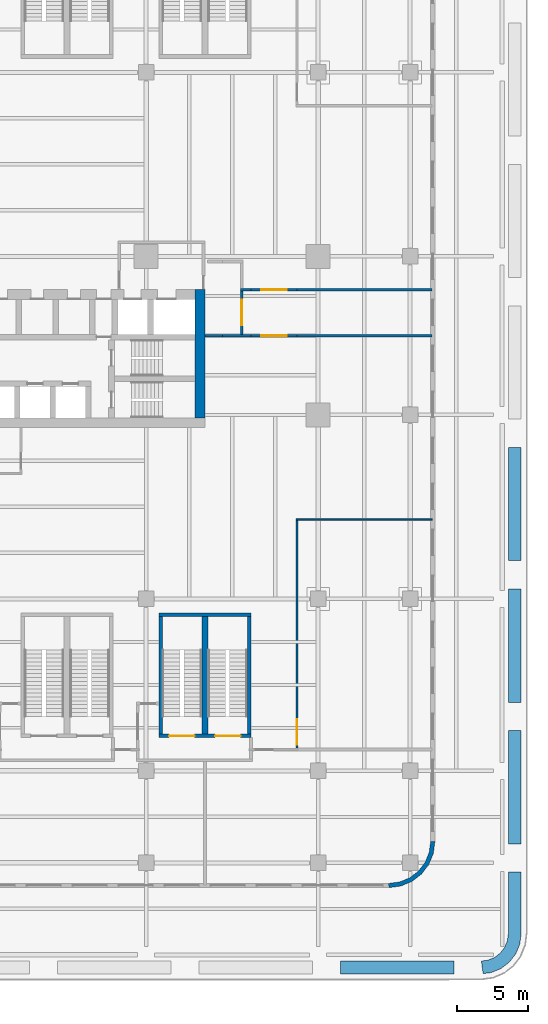
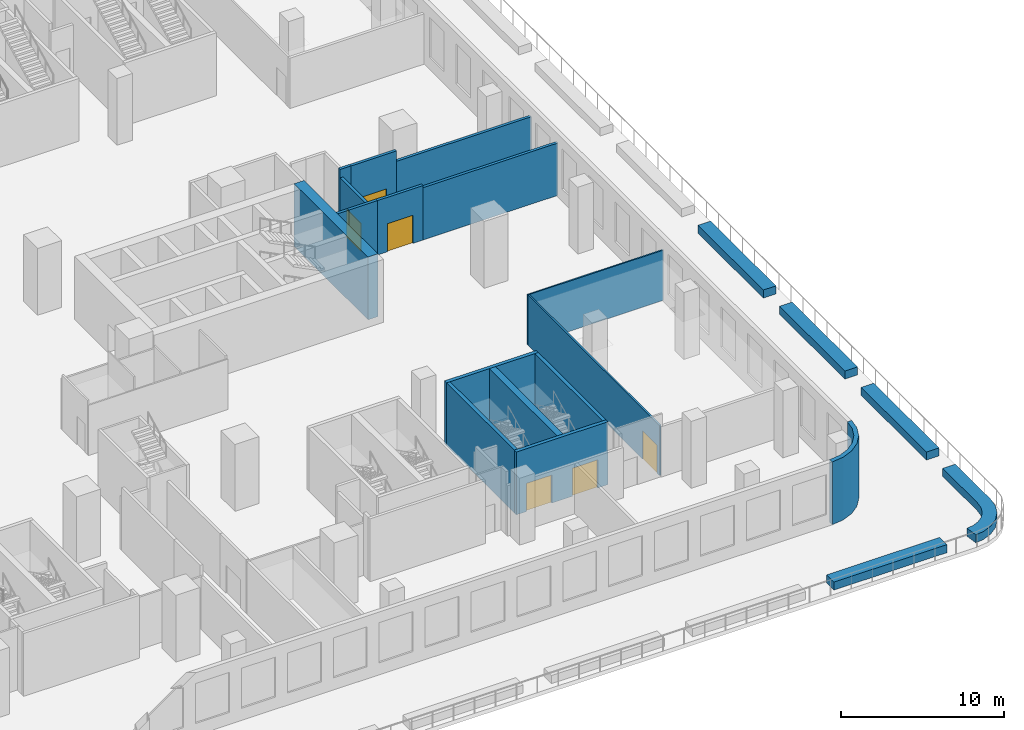
# One storey, part 11 of 18: 22 walls, 6 doors, 6 openings.
"""IFC4 building model written with IfcOpenShell, lengths in metres."""

from ifc_helpers import new_model, si_unit, direction, frame, frame_2d, origin, place, context, subcontext, project, spatial, polyline, rectangle, outline, extrude, source, transform, mapped, material, layer, layer_set, type_object, element, fill, save


model = new_model("IFC4")

# Units and contexts
model_context = context("Model", 3, precision=1e-05, world=origin(), true_north=direction((0.0, 1.0)))
body_context = subcontext(model_context, "Body", "Model", "MODEL_VIEW")
ifc_project = project(units=[si_unit("LENGTHUNIT", "METRE"), si_unit("AREAUNIT", "SQUARE_METRE"), si_unit("VOLUMEUNIT", "CUBIC_METRE"), si_unit("PLANEANGLEUNIT", "RADIAN"), si_unit("MASSUNIT", "GRAM", prefix="KILO")], contexts=[model_context])

# Site, building, storey
site_placement = place(None, origin())
site = spatial("IfcSite", under=ifc_project, at=site_placement, CompositionType="ELEMENT")
building_placement = place(site_placement, origin())
building = spatial("IfcBuilding", under=site, at=building_placement, Name="Trellis Farm Tower", CompositionType="ELEMENT")
storey_placement = place(building_placement, frame((0.0, 0.0, 14.0)))
storey = spatial("IfcBuildingStorey", under=building, at=storey_placement, Name="L02", CompositionType="ELEMENT", Elevation=14.0)

# Wall, opening, door
ifc_material_1 = material(Name="Plasterboard on steel studs, mineral wool", Category="steel")
ifc_layer_1 = layer(ifc_material_1, 0.125)
ifc_layer_set_1 = layer_set([ifc_layer_1], Name="PARTITION 125 STUD EI 60")
wall_type_1 = type_object("IfcWallType", Name="PARTITION 125 STUD EI 60", PredefinedType="PARTITIONING", material=ifc_layer_set_1)
wall_1_placement = place(storey_placement, frame((29.25, -13.050048828125, 0.0), z_axis=(0.0, 0.0, 1.0), x_axis=(0.0, -1.0, 0.0)))
wall_1 = element("IfcWall", 1, at=wall_1_placement, inside=storey, type_object=wall_type_1, Name="Partition PW1", PredefinedType="PARTITIONING", context=body_context, shape_type="SweptSolid", body=[
    extrude(rectangle(XDim=16.099853515625, YDim=0.125, at=frame_2d((8.0498046875, 0.0))), origin(), (0.0, 0.0, 1.0), 3.76171875),
])
shared_shape_1 = source(origin(), body_context, "Body", "SweptSolid", [
    extrude(rectangle(XDim=1.800048828125, YDim=2.10009765625, at=frame_2d((0.89990234375, 1.050048828125))), frame((0.0, 0.072509765625, 0.0), z_axis=(0.0, -1.0, 0.0), x_axis=(1.0, 0.0, 0.0)), (0.0, 0.0, 1.0), 0.14501953125),
])
opening_1_placement = place(wall_1_placement, frame((14.050048828125, 0.0, 0.0)))
opening_1 = element("IfcOpeningElement", 2, at=opening_1_placement, cuts=wall_1, Name="Opening D202", PredefinedType="OPENING", context=body_context, shape_type="MappedRepresentation", body=[
    mapped(shared_shape_1, transform((0.0, 0.0, 0.0))),
])
ifc_material_2 = material(Name="Fire-rated timber door leaf in a hollow metal frame", Category="wood")
door_type_1 = type_object("IfcDoorType", Name="DOOR PAIR 1800x2100 FD30S", OperationType="NOTDEFINED", PredefinedType="DOOR", material=ifc_material_2)
shared_shape_2 = source(origin(), body_context, "Body", "SweptSolid", [
    extrude(rectangle(XDim=1.800048828125, YDim=2.10009765625, at=frame_2d((0.89990234375, 1.050048828125))), frame((0.0, 0.02490234375, 0.0), z_axis=(0.0, -1.0, 0.0), x_axis=(1.0, 0.0, 0.0)), (0.0, 0.0, 1.0), 0.050048828125),
])
door_1_placement = place(opening_1_placement, origin())
door_1 = element("IfcDoor", 3, at=door_1_placement, inside=storey, type_object=door_type_1, Name="Door D202", OperationType="DOUBLE_DOOR_SINGLE_SWING", OverallHeight=2.10009765625, OverallWidth=1.800048828125, PredefinedType="DOOR", context=body_context, shape_type="MappedRepresentation", body=[
    mapped(shared_shape_2, transform((0.0, 0.0, 0.0))),
])
fill(opening_1, door_1)

# Walls
ifc_material_3 = material(Name="Sandstone faced masonry planter", Category="masonry")
ifc_layer_2 = layer(ifc_material_3, 0.89990234375)
ifc_layer_set_2 = layer_set([ifc_layer_2], Name="TERRACE PLANTER BED 900")
wall_type_2 = type_object("IfcWallType", Name="TERRACE PLANTER BED 900", PredefinedType="USERDEFINED", material=ifc_layer_set_2)
placement = place(storey_placement, origin())
element("IfcWall", 4, at=placement, inside=storey, type_object=wall_type_2, Name="PLANTER bed", ObjectType="PLANTER", PredefinedType="USERDEFINED", context=body_context, shape_type="SweptSolid", body=[
    extrude(outline(polyline([(32.347412109375, -44.199951171875), (40.347412109375, -44.199951171875), (40.347412109375, -45.10009765625), (32.347412109375, -45.10009765625), (32.347412109375, -44.199951171875)])), origin(), (0.0, 0.0, 1.0), 0.60009765625),
])
element("IfcWall", 5, at=placement, inside=storey, type_object=wall_type_2, Name="PLANTER bed", ObjectType="PLANTER", PredefinedType="USERDEFINED", context=body_context, shape_type="SweptSolid", body=[
    extrude(outline(polyline([(44.99951171875, -42.98681640625), (44.715087890625, -43.67333984375), (44.2626953125, -44.2626953125), (43.67333984375, -44.715087890625), (42.98681640625, -44.99951171875), (42.40478515625, -45.076171875), (42.287109375, -44.183837890625), (42.751708984375, -44.122802734375), (43.219482421875, -43.928955078125), (43.620849609375, -43.620849609375), (43.928955078125, -43.219482421875), (44.122802734375, -42.751708984375), (44.199951171875, -42.164794921875), (44.199951171875, -37.9013671875), (45.10009765625, -37.9013671875), (45.10009765625, -42.223876953125), (44.99951171875, -42.98681640625)])), origin(), (0.0, 0.0, 1.0), 0.60009765625),
])
element("IfcWall", 6, at=placement, inside=storey, type_object=wall_type_2, Name="PLANTER bed", ObjectType="PLANTER", PredefinedType="USERDEFINED", context=body_context, shape_type="SweptSolid", body=[
    extrude(outline(polyline([(44.199951171875, -35.9013671875), (44.199951171875, -27.9013671875), (45.10009765625, -27.9013671875), (45.10009765625, -35.9013671875), (44.199951171875, -35.9013671875)])), origin(), (0.0, 0.0, 1.0), 0.60009765625),
])
element("IfcWall", 7, at=placement, inside=storey, type_object=wall_type_2, Name="PLANTER bed", ObjectType="PLANTER", PredefinedType="USERDEFINED", context=body_context, shape_type="SweptSolid", body=[
    extrude(outline(polyline([(44.199951171875, -25.9013671875), (44.199951171875, -17.9013671875), (45.10009765625, -17.9013671875), (45.10009765625, -25.9013671875), (44.199951171875, -25.9013671875)])), origin(), (0.0, 0.0, 1.0), 0.60009765625),
])
element("IfcWall", 8, at=placement, inside=storey, type_object=wall_type_2, Name="PLANTER bed", ObjectType="PLANTER", PredefinedType="USERDEFINED", context=body_context, shape_type="SweptSolid", body=[
    extrude(outline(polyline([(44.199951171875, -15.9013671875), (44.199951171875, -7.9013671875), (45.10009765625, -7.9013671875), (45.10009765625, -15.9013671875), (44.199951171875, -15.9013671875)])), origin(), (0.0, 0.0, 1.0), 0.60009765625),
])
ifc_material_4 = material(Name="Concrete C80/95", Category="concrete")
ifc_layer_3 = layer(ifc_material_4, 0.699951171875)
ifc_layer_set_3 = layer_set([ifc_layer_3], Name="CORE OUTER WALL 700 CONCRETE C80/95")
wall_type_3 = type_object("IfcWallType", Name="CORE OUTER WALL 700 CONCRETE C80/95", PredefinedType="SHEAR", material=ifc_layer_set_3)
shared_shape_3 = source(origin(), body_context, "Body", "SweptSolid", [
    extrude(rectangle(XDim=9.050048828125, YDim=0.699951171875, at=frame_2d((4.52490234375, 0.0))), origin(), (0.0, 0.0, 1.0), 4.699951171875),
])
wall_7_placement = place(storey_placement, frame((22.39990234375, -5.800048828125, 0.0), z_axis=(0.0, 0.0, 1.0), x_axis=(0.0, 1.0, 0.0)))
element("IfcWall", 9, at=wall_7_placement, inside=storey, type_object=wall_type_3, Name="Core wall", PredefinedType="SHEAR", context=body_context, shape_type="MappedRepresentation", body=[
    mapped(shared_shape_3, transform((0.0, 0.0, 0.0))),
])

# Wall, opening, door
ifc_material_5 = material(Name="Lightweight blockwork, plastered", Category="masonry")
ifc_layer_4 = layer(ifc_material_5, 0.199951171875)
ifc_layer_set_4 = layer_set([ifc_layer_4], Name="BLOCK WALL 200 EI 120")
wall_type_4 = type_object("IfcWallType", Name="BLOCK WALL 200 EI 120", PredefinedType="PARTITIONING", material=ifc_layer_set_4)
shared_shape_4 = source(origin(), body_context, "Body", "SweptSolid", [
    extrude(rectangle(XDim=3.25, YDim=0.199951171875, at=frame_2d((1.625, 0.0))), origin(), (0.0, 0.0, 1.0), 4.699951171875),
])
wall_8_placement = place(storey_placement, frame((26.0, 3.25, 0.0), z_axis=(0.0, 0.0, 1.0), x_axis=(1.0, 0.0, 0.0)))
wall_8 = element("IfcWall", 10, at=wall_8_placement, inside=storey, type_object=wall_type_4, Name="Partition PW3", PredefinedType="PARTITIONING", context=body_context, shape_type="MappedRepresentation", body=[
    mapped(shared_shape_4, transform((0.0, 0.0, 0.0))),
])
shared_shape_5 = source(origin(), body_context, "Body", "SweptSolid", [
    extrude(rectangle(XDim=1.800048828125, YDim=2.10009765625, at=frame_2d((0.89990234375, 1.050048828125))), frame((0.0, 0.110107421875, 0.0), z_axis=(0.0, -1.0, 0.0), x_axis=(1.0, 0.0, 0.0)), (0.0, 0.0, 1.0), 0.22021484375),
])
opening_2_placement = place(wall_8_placement, frame((0.72509765625, 0.0, 0.0)))
opening_2 = element("IfcOpeningElement", 11, at=opening_2_placement, cuts=wall_8, Name="Opening D412", PredefinedType="OPENING", context=body_context, shape_type="MappedRepresentation", body=[
    mapped(shared_shape_5, transform((0.0, 0.0, 0.0))),
])
door_type_2 = type_object("IfcDoorType", Name="DOOR PAIR 1800x2100 FD60", OperationType="NOTDEFINED", PredefinedType="DOOR", material=ifc_material_2)
door_2_placement = place(opening_2_placement, origin())
door_2 = element("IfcDoor", 12, at=door_2_placement, inside=storey, type_object=door_type_2, Name="Door D412", OperationType="DOUBLE_DOOR_SINGLE_SWING", OverallHeight=2.10009765625, OverallWidth=1.800048828125, PredefinedType="DOOR", context=body_context, shape_type="MappedRepresentation", body=[
    mapped(shared_shape_2, transform((0.0, 0.0, 0.0))),
])
fill(opening_2, door_2)

# Wall, openings, doors
ifc_layer_5 = layer(ifc_material_4, 0.25)
ifc_layer_set_5 = layer_set([ifc_layer_5], Name="CORE STAIR ENCLOSURE WALL 250 CONCRETE C80/95")
wall_type_5 = type_object("IfcWallType", Name="CORE STAIR ENCLOSURE WALL 250 CONCRETE C80/95", PredefinedType="SHEAR", material=ifc_layer_set_5)
shared_shape_6 = source(origin(), body_context, "Body", "SweptSolid", [
    extrude(rectangle(XDim=6.5, YDim=0.25, at=frame_2d((3.25, 0.0))), origin(), (0.0, 0.0, 1.0), 4.699951171875),
])
wall_9_placement = place(storey_placement, frame((19.5, -28.27490234375, 0.0), z_axis=(0.0, 0.0, 1.0), x_axis=(1.0, 0.0, 0.0)))
wall_9 = element("IfcWall", 13, at=wall_9_placement, inside=storey, type_object=wall_type_5, Name="Podium stair enclosure wall", PredefinedType="SHEAR", context=body_context, shape_type="MappedRepresentation", body=[
    mapped(shared_shape_6, transform((0.0, 0.0, 0.0))),
])
shared_shape_7 = source(origin(), body_context, "Body", "SweptSolid", [
    extrude(rectangle(XDim=1.800048828125, YDim=2.10009765625, at=frame_2d((0.89990234375, 1.050048828125))), frame((0.0, 0.135009765625, 0.0), z_axis=(0.0, -1.0, 0.0), x_axis=(1.0, 0.0, 0.0)), (0.0, 0.0, 1.0), 0.27001953125),
])
opening_3_placement = place(wall_9_placement, frame((0.72509765625, 0.0, 0.0)))
opening_3 = element("IfcOpeningElement", 14, at=opening_3_placement, cuts=wall_9, Name="Opening DP15", PredefinedType="OPENING", context=body_context, shape_type="MappedRepresentation", body=[
    mapped(shared_shape_7, transform((0.0, 0.0, 0.0))),
])
opening_4_placement = place(wall_9_placement, frame((3.97509765625, 0.0, 0.0)))
opening_4 = element("IfcOpeningElement", 15, at=opening_4_placement, cuts=wall_9, Name="Opening DP16", PredefinedType="OPENING", context=body_context, shape_type="MappedRepresentation", body=[
    mapped(shared_shape_7, transform((0.0, 0.0, 0.0))),
])
ifc_material_6 = material(Name="Steel", Category="steel")
door_type_3 = type_object("IfcDoorType", Name="CORE FIRE DOOR DOUBLE 1800 X 2100", OperationType="DOUBLE_DOOR_SINGLE_SWING", PredefinedType="DOOR", material=ifc_material_6)
door_3_placement = place(opening_3_placement, origin())
door_3 = element("IfcDoor", 16, at=door_3_placement, inside=storey, type_object=door_type_3, Name="Podium stair door", OperationType="DOUBLE_DOOR_SINGLE_SWING", OverallHeight=2.10009765625, OverallWidth=1.800048828125, PredefinedType="DOOR", context=body_context, shape_type="MappedRepresentation", body=[
    mapped(shared_shape_2, transform((0.0, 0.0, 0.0))),
])
fill(opening_3, door_3)
door_4_placement = place(opening_4_placement, origin())
door_4 = element("IfcDoor", 17, at=door_4_placement, inside=storey, type_object=door_type_3, Name="Podium stair door", OperationType="DOUBLE_DOOR_SINGLE_SWING", OverallHeight=2.10009765625, OverallWidth=1.800048828125, PredefinedType="DOOR", context=body_context, shape_type="MappedRepresentation", body=[
    mapped(shared_shape_2, transform((0.0, 0.0, 0.0))),
])
fill(opening_4, door_4)

# Walls
wall_10_placement = place(storey_placement, frame((19.5, -19.72509765625, 0.0), z_axis=(0.0, 0.0, 1.0), x_axis=(1.0, 0.0, 0.0)))
element("IfcWall", 18, at=wall_10_placement, inside=storey, type_object=wall_type_5, Name="Podium stair enclosure wall", PredefinedType="SHEAR", context=body_context, shape_type="MappedRepresentation", body=[
    mapped(shared_shape_6, transform((0.0, 0.0, 0.0))),
])
shared_shape_8 = source(origin(), body_context, "Body", "SweptSolid", [
    extrude(rectangle(XDim=8.2998046875, YDim=0.25, at=frame_2d((4.14990234375, 0.0))), origin(), (0.0, 0.0, 1.0), 4.699951171875),
])
for number, where, z_axis, x_axis, name in (
    (19, (19.625, -28.14990234375, 0.0), (0.0, 0.0, 1.0), (0.0, 1.0, 0.0), "Podium stair enclosure wall"),
    (20, (25.875, -28.14990234375, 0.0), (0.0, 0.0, 1.0), (0.0, 1.0, 0.0), "Podium stair enclosure wall"),
):
    element("IfcWall", number, at=place(storey_placement, frame(where, z_axis=z_axis, x_axis=x_axis)), inside=storey, type_object=wall_type_5, Name=name, PredefinedType="SHEAR", context=body_context, shape_type="MappedRepresentation", body=[
        mapped(shared_shape_8, transform((0.0, 0.0, 0.0))),
    ])
ifc_layer_6 = layer(ifc_material_4, 0.43994140625)
ifc_layer_set_6 = layer_set([ifc_layer_6], Name="CORE STAIR ENCLOSURE WALL 440 CONCRETE C80/95")
wall_type_6 = type_object("IfcWallType", Name="CORE STAIR ENCLOSURE WALL 440 CONCRETE C80/95", PredefinedType="SHEAR", material=ifc_layer_set_6)
shared_shape_9 = source(origin(), body_context, "Body", "SweptSolid", [
    extrude(rectangle(XDim=8.2998046875, YDim=0.43994140625, at=frame_2d((4.14990234375, 0.0))), origin(), (0.0, 0.0, 1.0), 4.699951171875),
])
wall_11_placement = place(storey_placement, frame((22.75, -28.14990234375, 0.0), z_axis=(0.0, 0.0, 1.0), x_axis=(0.0, 1.0, 0.0)))
element("IfcWall", 21, at=wall_11_placement, inside=storey, type_object=wall_type_6, Name="Podium stair enclosure wall", PredefinedType="SHEAR", context=body_context, shape_type="MappedRepresentation", body=[
    mapped(shared_shape_9, transform((0.0, 0.0, 0.0))),
])
ifc_material_7 = material(Name="Sandstone faced insulated wall", Category="masonry")
ifc_layer_7 = layer(ifc_material_7, 0.300048828125)
ifc_layer_set_7 = layer_set([ifc_layer_7], Name="STONE CLAD EXTERNAL WALL 300")
wall_type_7 = type_object("IfcWallType", Name="STONE CLAD EXTERNAL WALL 300", PredefinedType="SOLIDWALL", material=ifc_layer_set_7)
shared_shape_10 = source(origin(), body_context, "Body", "SweptSolid", [
    extrude(outline(polyline([(35.75, -39.0), (36.591064453125, -38.88916015625), (37.375, -38.564697265625), (38.048095703125, -38.048095703125), (38.564697265625, -37.375), (38.88916015625, -36.591064453125), (39.0, -35.75), (38.699951171875, -35.730224609375), (38.596923828125, -36.512939453125), (38.302490234375, -37.2236328125), (37.834228515625, -37.834228515625), (37.2236328125, -38.302490234375), (36.512939453125, -38.596923828125), (35.730224609375, -38.699951171875), (35.75, -39.0)])), origin(), (0.0, 0.0, 1.0), 4.699951171875),
])
element("IfcWall", 22, at=placement, inside=storey, type_object=wall_type_7, Name="EW2 C04", PredefinedType="SOLIDWALL", context=body_context, shape_type="MappedRepresentation", body=[
    mapped(shared_shape_10, transform((0.0, 0.0, 0.0))),
])
shared_shape_11 = source(origin(), body_context, "Body", "SweptSolid", [
    extrude(rectangle(XDim=9.550048828125, YDim=0.199951171875, at=frame_2d((4.77490234375, 0.0))), origin(), (0.0, 0.0, 1.0), 3.917724609375),
])
for number, where, z_axis, x_axis, name in (
    (23, (38.800048828125, 0.0, 0.0), (0.0, 0.0, 1.0), (-1.0, 0.0, 0.0), "Partition PW3"),
    (24, (29.25, 3.25, 0.0), (0.0, 0.0, 1.0), (1.0, 0.0, 0.0), "Partition PW3"),
):
    element("IfcWall", number, at=place(storey_placement, frame(where, z_axis=z_axis, x_axis=x_axis)), inside=storey, type_object=wall_type_4, Name=name, PredefinedType="PARTITIONING", context=body_context, shape_type="MappedRepresentation", body=[
        mapped(shared_shape_11, transform((0.0, 0.0, 0.0))),
    ])

# Wall, opening, door
shared_shape_12 = source(origin(), body_context, "Body", "SweptSolid", [
    extrude(rectangle(XDim=3.0498046875, YDim=0.199951171875, at=frame_2d((1.52490234375, 0.0))), origin(), (0.0, 0.0, 1.0), 4.077392578125),
])
wall_13_placement = place(storey_placement, frame((25.35009765625, 3.14990234375, 0.0), z_axis=(0.0, 0.0, 1.0), x_axis=(0.0, -1.0, 0.0)))
wall_13 = element("IfcWall", 25, at=wall_13_placement, inside=storey, type_object=wall_type_4, Name="Partition PW3", PredefinedType="PARTITIONING", context=body_context, shape_type="MappedRepresentation", body=[
    mapped(shared_shape_12, transform((0.0, 0.0, 0.0))),
])
opening_5_placement = place(wall_13_placement, frame((0.625, 0.0, 0.0)))
opening_5 = element("IfcOpeningElement", 26, at=opening_5_placement, cuts=wall_13, Name="Opening D411", PredefinedType="OPENING", context=body_context, shape_type="MappedRepresentation", body=[
    mapped(shared_shape_5, transform((0.0, 0.0, 0.0))),
])
door_5_placement = place(opening_5_placement, origin())
door_5 = element("IfcDoor", 27, at=door_5_placement, inside=storey, type_object=door_type_2, Name="Door D411", OperationType="DOUBLE_DOOR_SINGLE_SWING", OverallHeight=2.10009765625, OverallWidth=1.800048828125, PredefinedType="DOOR", context=body_context, shape_type="MappedRepresentation", body=[
    mapped(shared_shape_2, transform((0.0, 0.0, 0.0))),
])
fill(opening_5, door_5)

# Wall
shared_shape_13 = source(origin(), body_context, "Body", "SweptSolid", [
    extrude(rectangle(XDim=1.25, YDim=0.199951171875, at=frame_2d((0.625, 0.0))), origin(), (0.0, 0.0, 1.0), 4.077392578125),
])
wall_14_placement = place(storey_placement, frame((22.75, 0.0, 0.0), z_axis=(0.0, 0.0, 1.0), x_axis=(1.0, 0.0, 0.0)))
element("IfcWall", 28, at=wall_14_placement, inside=storey, type_object=wall_type_4, Name="Partition PW3", PredefinedType="PARTITIONING", context=body_context, shape_type="MappedRepresentation", body=[
    mapped(shared_shape_13, transform((0.0, 0.0, 0.0))),
])

# Wall, opening, door
shared_shape_14 = source(origin(), body_context, "Body", "SweptSolid", [
    extrude(rectangle(XDim=3.25, YDim=0.199951171875, at=frame_2d((1.625, 0.0))), origin(), (0.0, 0.0, 1.0), 4.077392578125),
])
wall_15_placement = place(storey_placement, frame((29.25, 0.0, 0.0), z_axis=(0.0, 0.0, 1.0), x_axis=(-1.0, 0.0, 0.0)))
wall_15 = element("IfcWall", 29, at=wall_15_placement, inside=storey, type_object=wall_type_4, Name="Partition PW3", PredefinedType="PARTITIONING", context=body_context, shape_type="MappedRepresentation", body=[
    mapped(shared_shape_14, transform((0.0, 0.0, 0.0))),
])
opening_6_placement = place(wall_15_placement, frame((0.72509765625, 0.0, 0.0)))
opening_6 = element("IfcOpeningElement", 30, at=opening_6_placement, cuts=wall_15, Name="Opening D410", PredefinedType="OPENING", context=body_context, shape_type="MappedRepresentation", body=[
    mapped(shared_shape_5, transform((0.0, 0.0, 0.0))),
])
door_6_placement = place(opening_6_placement, origin())
door_6 = element("IfcDoor", 31, at=door_6_placement, inside=storey, type_object=door_type_2, Name="Door D410", OperationType="DOUBLE_DOOR_SINGLE_SWING", OverallHeight=2.10009765625, OverallWidth=1.800048828125, PredefinedType="DOOR", context=body_context, shape_type="MappedRepresentation", body=[
    mapped(shared_shape_2, transform((0.0, 0.0, 0.0))),
])
fill(opening_6, door_6)

# Walls
shared_shape_15 = source(origin(), body_context, "Body", "SweptSolid", [
    extrude(rectangle(XDim=2.0, YDim=0.199951171875, at=frame_2d((1.0, 0.0))), origin(), (0.0, 0.0, 1.0), 4.077392578125),
])
wall_16_placement = place(storey_placement, frame((26.0, 0.0, 0.0), z_axis=(0.0, 0.0, 1.0), x_axis=(-1.0, 0.0, 0.0)))
element("IfcWall", 32, at=wall_16_placement, inside=storey, type_object=wall_type_4, Name="Partition PW3", PredefinedType="PARTITIONING", context=body_context, shape_type="MappedRepresentation", body=[
    mapped(shared_shape_15, transform((0.0, 0.0, 0.0))),
])
shared_shape_16 = source(origin(), body_context, "Body", "SweptSolid", [
    extrude(rectangle(XDim=0.75, YDim=0.199951171875, at=frame_2d((0.375, 0.0))), origin(), (0.0, 0.0, 1.0), 4.699951171875),
])
wall_17_placement = place(storey_placement, frame((25.25, 3.25, 0.0), z_axis=(0.0, 0.0, 1.0), x_axis=(1.0, 0.0, 0.0)))
element("IfcWall", 33, at=wall_17_placement, inside=storey, type_object=wall_type_4, Name="Partition PW3", PredefinedType="PARTITIONING", context=body_context, shape_type="MappedRepresentation", body=[
    mapped(shared_shape_16, transform((0.0, 0.0, 0.0))),
])
ifc_material_8 = material(Name="Plasterboard on steel studs", Category="steel")
ifc_layer_8 = layer(ifc_material_8, 0.10009765625)
ifc_layer_set_8 = layer_set([ifc_layer_8], Name="PARTITION 100 STUD EI 30")
wall_type_8 = type_object("IfcWallType", Name="PARTITION 100 STUD EI 30", PredefinedType="PARTITIONING", material=ifc_layer_set_8)
shared_shape_17 = source(origin(), body_context, "Body", "SweptSolid", [
    extrude(rectangle(XDim=9.612548828125, YDim=0.10009765625, at=frame_2d((4.80615234375, 0.0))), origin(), (0.0, 0.0, 1.0), 3.76171875),
])
wall_18_placement = place(storey_placement, frame((29.1875, -13.0, 0.0), z_axis=(0.0, 0.0, 1.0), x_axis=(1.0, 0.0, 0.0)))
element("IfcWall", 34, at=wall_18_placement, inside=storey, type_object=wall_type_8, Name="Partition PW2", PredefinedType="PARTITIONING", context=body_context, shape_type="MappedRepresentation", body=[
    mapped(shared_shape_17, transform((0.0, 0.0, 0.0))),
])

save(model, "model.ifc")
